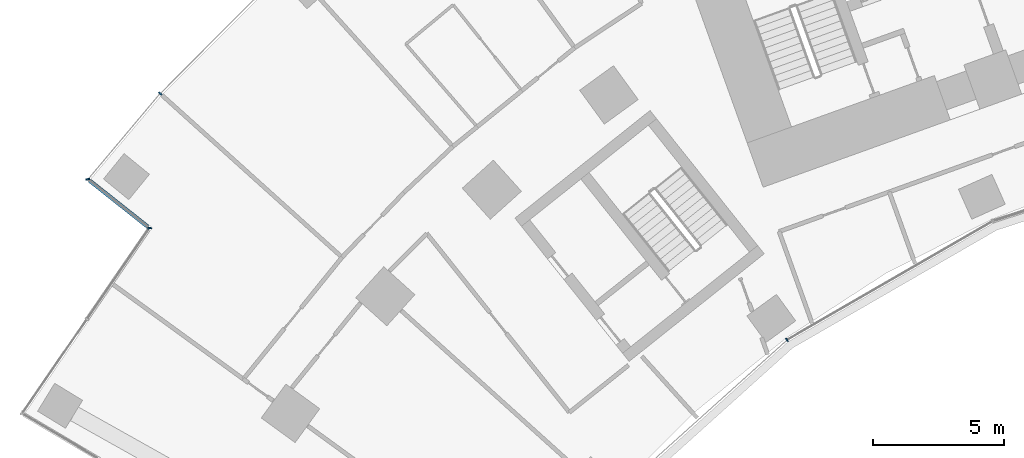
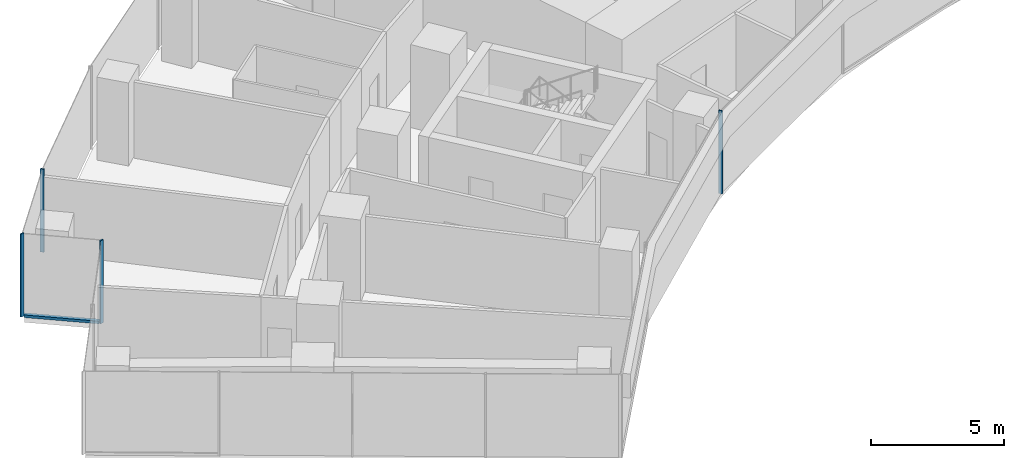
# One storey, part 3 of 21: 5 members, 4 elements without a shape of their own.
"""IFC4 building model written with IfcOpenShell, lengths in metres."""

from ifc_helpers import new_model, si_unit, direction, frame, origin, origin_2d, place, context, subcontext, project, spatial, rectangle, extrude, material, layer, layer_set, material_profile, profile_set, type_object, element, aggregate, save


model = new_model("IFC4")

# Units and contexts
model_context = context("Model", 3, precision=1e-05, world=origin(), true_north=direction((0.0, 1.0)))
body_context = subcontext(model_context, "Body", "Model", "MODEL_VIEW")
ifc_project = project(units=[si_unit("LENGTHUNIT", "METRE"), si_unit("AREAUNIT", "SQUARE_METRE"), si_unit("VOLUMEUNIT", "CUBIC_METRE"), si_unit("PLANEANGLEUNIT", "RADIAN"), si_unit("MASSUNIT", "GRAM", prefix="KILO")], contexts=[model_context])

# Site, building, storey
site_placement = place(None, origin())
site = spatial("IfcSite", under=ifc_project, at=site_placement, CompositionType="ELEMENT")
building_placement = place(site_placement, origin())
building = spatial("IfcBuilding", under=site, at=building_placement, Name="Stone Belt Terrace Tower", CompositionType="ELEMENT")
storey_placement = place(building_placement, frame((0.0, 0.0, 60.39990234375)))
storey = spatial("IfcBuildingStorey", under=building, at=storey_placement, Name="L14", CompositionType="ELEMENT", Elevation=60.39990234375)

# Curtain wall, member
ifc_material = material(Name="Aluminium 6063-T6 anodised frame", Category="aluminium")
ifc_layer_1 = layer(ifc_material, 0.14990234375)
ifc_layer_set_1 = layer_set([ifc_layer_1], Name="CW-A unitised convex-face curtain wall")
curtain_wall_type_1 = type_object("IfcCurtainWallType", Name="CW-A unitised convex-face curtain wall", PredefinedType="NOTDEFINED", material=ifc_layer_set_1)
curtain_wall_1_placement = place(storey_placement, origin())
curtain_wall_1 = element("IfcCurtainWall", 1, at=curtain_wall_1_placement, inside=storey, type_object=curtain_wall_type_1, Name="CW-A convex face L14", PredefinedType="NOTDEFINED")
ifc_material_profile_1 = material_profile(ifc_material, rectangle(XDim=0.14990234375, YDim=0.06005859375, at=origin_2d()), Name="Aluminium 6063-T6 60x150")
ifc_profile_set_1 = profile_set([ifc_material_profile_1], Name="Aluminium 6063-T6 anodised frame")
member_type_1 = type_object("IfcMemberType", Name="CW-A mullion 60 x 150", PredefinedType="MULLION", material=ifc_profile_set_1)
member_1_placement = place(storey_placement, frame((-49.474365234375, 44.548095703125, 0.0), z_axis=(0.0, 0.0, 1.0), x_axis=(0.73617076011, -0.676795842155, 0.0)))
member_1 = element("IfcMember", 2, at=member_1_placement, type_object=member_type_1, Name="CW-A mullion 17", PredefinedType="MULLION", context=body_context, shape_type="SweptSolid", body=[
    extrude(rectangle(XDim=0.14990234375, YDim=0.06005859375, at=origin_2d()), origin(), (0.0, 0.0, 1.0), 3.800048828125),
])
aggregate(curtain_wall_1, [member_1])

ifc_layer_2 = layer(ifc_material, 0.14990234375)
ifc_layer_set_2 = layer_set([ifc_layer_2], Name="CW-B unitised concave-face curtain wall")
curtain_wall_type_2 = type_object("IfcCurtainWallType", Name="CW-B unitised concave-face curtain wall", PredefinedType="NOTDEFINED", material=ifc_layer_set_2)
curtain_wall_2_placement = place(storey_placement, origin())
curtain_wall_2 = element("IfcCurtainWall", 3, at=curtain_wall_2_placement, inside=storey, type_object=curtain_wall_type_2, Name="CW-B concave face L14", PredefinedType="NOTDEFINED")
ifc_material_profile_2 = material_profile(ifc_material, rectangle(XDim=0.14990234375, YDim=0.050048828125, at=origin_2d()), Name="Aluminium 6063-T6 50x150")
ifc_profile_set_2 = profile_set([ifc_material_profile_2], Name="Aluminium 6063-T6 anodised frame")
member_type_2 = type_object("IfcMemberType", Name="CW-B mullion 50 x 150", PredefinedType="MULLION", material=ifc_profile_set_2)
member_2_placement = place(storey_placement, frame((-25.5244140625, 35.13134765625, 0.0), z_axis=(0.0, 0.0, 1.0), x_axis=(-0.587785252292, 0.809016994375, 0.0)))
member_2 = element("IfcMember", 4, at=member_2_placement, type_object=member_type_2, Name="CW-B mullion 3", PredefinedType="MULLION", context=body_context, shape_type="SweptSolid", body=[
    extrude(rectangle(XDim=0.14990234375, YDim=0.050048828125, at=origin_2d()), origin(), (0.0, 0.0, 1.0), 3.800048828125),
])
aggregate(curtain_wall_2, [member_2])

ifc_layer_3 = layer(ifc_material, 0.14990234375)
ifc_layer_set_3 = layer_set([ifc_layer_3], Name="CW-C stick curtain wall, horn ends and notches")
curtain_wall_type_3 = type_object("IfcCurtainWallType", Name="CW-C stick curtain wall, horn ends and notches", PredefinedType="NOTDEFINED", material=ifc_layer_set_3)
curtain_wall_3_placement = place(storey_placement, origin())
curtain_wall_3 = element("IfcCurtainWall", 5, at=curtain_wall_3_placement, inside=storey, type_object=curtain_wall_type_3, Name="CW-C notch face L14", PredefinedType="NOTDEFINED")
ifc_material_profile_3 = material_profile(ifc_material, rectangle(XDim=0.14990234375, YDim=0.06005859375, at=origin_2d()), Name="Aluminium 6063-T6 60x150")
ifc_profile_set_3 = profile_set([ifc_material_profile_3], Name="Aluminium 6063-T6 anodised frame")
member_type_3 = type_object("IfcMemberType", Name="CW-C mullion 60 x 150", PredefinedType="MULLION", material=ifc_profile_set_3)
member_3_placement = place(storey_placement, frame((-52.24072265625, 41.27294921875, 0.0), z_axis=(0.0, 0.0, 1.0), x_axis=(0.995023084308, 0.099644677203, 0.0)))
member_3 = element("IfcMember", 6, at=member_3_placement, type_object=member_type_3, Name="CW-C mullion 1", PredefinedType="MULLION", context=body_context, shape_type="SweptSolid", body=[
    extrude(rectangle(XDim=0.14990234375, YDim=0.06005859375, at=origin_2d()), origin(), (0.0, 0.0, 1.0), 3.800048828125),
])

curtain_wall_4_placement = place(storey_placement, origin())
curtain_wall_4 = element("IfcCurtainWall", 7, at=curtain_wall_4_placement, inside=storey, type_object=curtain_wall_type_3, Name="CW-C notch face L14", PredefinedType="NOTDEFINED")
member_4_placement = place(storey_placement, frame((-49.88330078125, 39.406005859375, 0.0), z_axis=(0.0, 0.0, 1.0), x_axis=(0.988851375203, 0.14890586879, 0.0)))
member_4 = element("IfcMember", 8, at=member_4_placement, type_object=member_type_3, Name="CW-C mullion 1", PredefinedType="MULLION", context=body_context, shape_type="SweptSolid", body=[
    extrude(rectangle(XDim=0.14990234375, YDim=0.06005859375, at=origin_2d()), origin(), (0.0, 0.0, 1.0), 3.800048828125),
])
aggregate(curtain_wall_4, [member_4])

# Member
ifc_material_profile_4 = material_profile(ifc_material, rectangle(XDim=0.14990234375, YDim=0.1201171875, at=origin_2d()), Name="Aluminium 6063-T6 150x120")
ifc_profile_set_4 = profile_set([ifc_material_profile_4], Name="Aluminium 6063-T6 anodised frame")
member_type_4 = type_object("IfcMemberType", Name="CW-C transom 120 x 150", PredefinedType="USERDEFINED", material=ifc_profile_set_4)
member_5_placement = place(storey_placement, frame((-52.18212890625, 41.2265625, 0.06005859375), z_axis=(0.783966177893, -0.620803537297, 0.0), x_axis=(0.620803537297, 0.783966177893, 0.0)))
member_5 = element("IfcMember", 9, at=member_5_placement, type_object=member_type_4, Name="CW-C transom 1.1", ObjectType="TRANSOM", PredefinedType="USERDEFINED", context=body_context, shape_type="SweptSolid", body=[
    extrude(rectangle(XDim=0.14990234375, YDim=0.1201171875, at=origin_2d()), origin(), (0.0, 0.0, 1.0), 2.859375),
])

aggregate(curtain_wall_3, [member_3, member_5])

save(model, "model.ifc")
